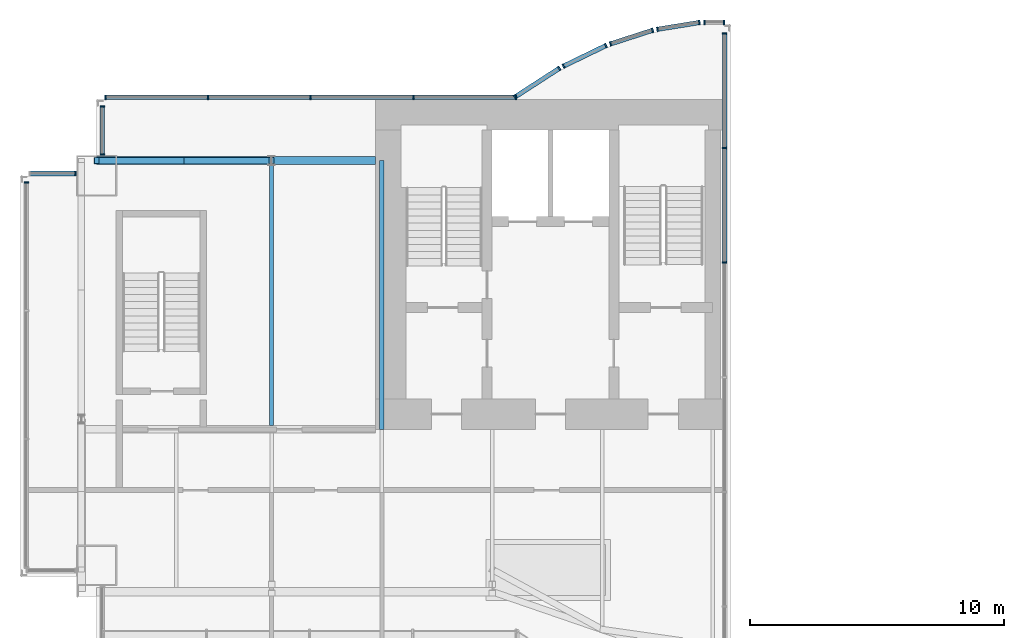
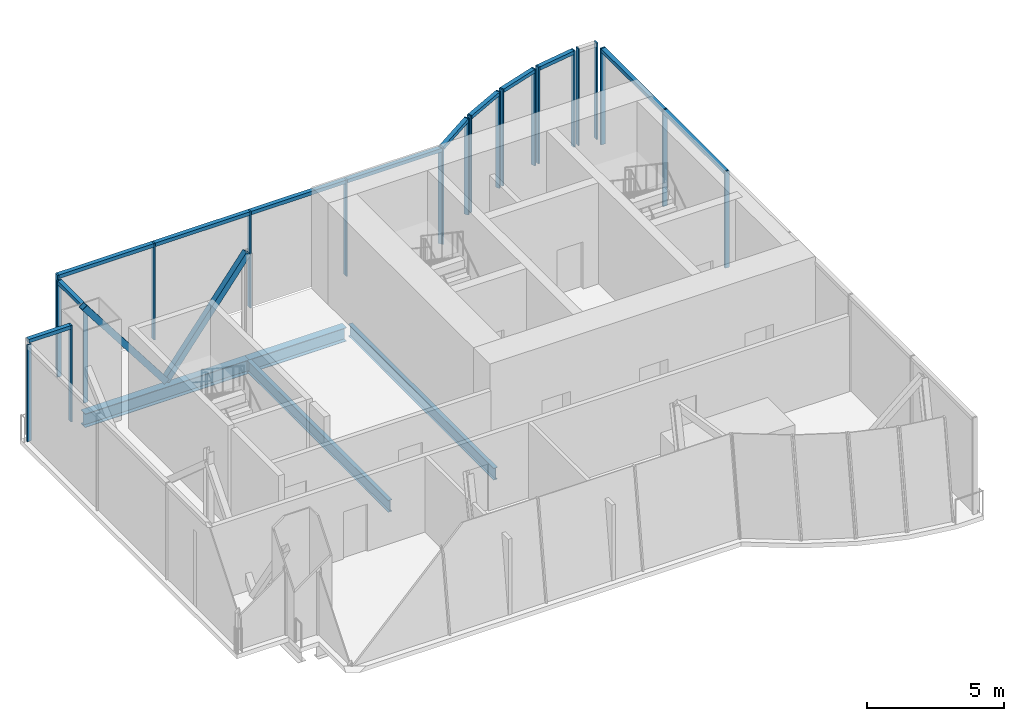
# One storey, part 2 of 7: 36 members, 4 beams, 10 elements without a shape of their own.
"""IFC4 building model written with IfcOpenShell, lengths in metres."""

from ifc_helpers import new_model, si_unit, direction, frame, origin, origin_2d, place, context, subcontext, project, spatial, rectangle, hollow_rectangle, i_section, extrude, material, material_profile, profile_set, type_object, element, aggregate, save


model = new_model("IFC4")

# Units and contexts
model_context = context("Model", 3, precision=1e-05, world=origin(), true_north=direction((0.0, 1.0)))
body_context = subcontext(model_context, "Body", "Model", "MODEL_VIEW")
ifc_project = project(units=[si_unit("LENGTHUNIT", "METRE"), si_unit("AREAUNIT", "SQUARE_METRE"), si_unit("VOLUMEUNIT", "CUBIC_METRE"), si_unit("PLANEANGLEUNIT", "RADIAN"), si_unit("MASSUNIT", "GRAM", prefix="KILO")], contexts=[model_context])

# Site, building, storey
site_placement = place(None, origin())
site = spatial("IfcSite", under=ifc_project, at=site_placement, CompositionType="ELEMENT")
building_placement = place(site_placement, origin())
building = spatial("IfcBuilding", under=site, at=building_placement, Name="Bicima Exchange Tower", CompositionType="ELEMENT")
storey_placement = place(building_placement, frame((0.0, 0.0, 361.39990234375)))
storey = spatial("IfcBuildingStorey", under=building, at=storey_placement, Name="L81", CompositionType="ELEMENT", Elevation=361.39990234375)

# Curtain wall, members
ifc_material_1 = material(Name="Anodised bronze aluminium", Category="aluminium")
curtain_wall_type = type_object("IfcCurtainWallType", Name="Crown glass wall", PredefinedType="NOTDEFINED", material=ifc_material_1)
curtain_wall_1_placement = place(storey_placement, origin())
curtain_wall_1 = element("IfcCurtainWall", 1, at=curtain_wall_1_placement, inside=storey, type_object=curtain_wall_type, Name="Crown glass wall L81 run 2", PredefinedType="NOTDEFINED")
ifc_material_profile_1 = material_profile(ifc_material_1, rectangle(XDim=0.179931640625, YDim=0.06005859375, at=origin_2d()))
ifc_profile_set_1 = profile_set([ifc_material_profile_1], Name="Anodised bronze aluminium")
member_type_1 = type_object("IfcMemberType", Name="Crown glass wall mullion 60 x 180", PredefinedType="MULLION", material=ifc_profile_set_1)
member_1_placement = place(storey_placement, frame((-8.22998046875, -6.426513671875, 0.0), z_axis=(0.0, 0.0, 1.0), x_axis=(-1.0, 0.0, 0.0)))
member_1 = element("IfcMember", 2, at=member_1_placement, type_object=member_type_1, Name="Crown glass wall mullion 5", PredefinedType="MULLION", context=body_context, shape_type="SweptSolid", body=[
    extrude(rectangle(XDim=0.179931640625, YDim=0.06005859375, at=origin_2d()), origin(), (0.0, 0.0, 1.0), 4.300048828125),
])
member_2_placement = place(storey_placement, frame((-8.22998046875, -1.90673828125, 0.0), z_axis=(0.0, 0.0, 1.0), x_axis=(-1.0, 0.0, 0.0)))
member_2 = element("IfcMember", 3, at=member_2_placement, type_object=member_type_1, Name="Crown glass wall mullion 6", PredefinedType="MULLION", context=body_context, shape_type="SweptSolid", body=[
    extrude(rectangle(XDim=0.179931640625, YDim=0.06005859375, at=origin_2d()), origin(), (0.0, 0.0, 1.0), 4.300048828125),
])
member_3_placement = place(storey_placement, frame((-8.22998046875, 2.613037109375, 0.0), z_axis=(0.0, 0.0, 1.0), x_axis=(-1.0, 0.0, 0.0)))
member_3 = element("IfcMember", 4, at=member_3_placement, type_object=member_type_1, Name="Crown glass wall mullion 7", PredefinedType="MULLION", context=body_context, shape_type="SweptSolid", body=[
    extrude(rectangle(XDim=0.179931640625, YDim=0.06005859375, at=origin_2d()), origin(), (0.0, 0.0, 1.0), 4.300048828125),
])

curtain_wall_2_placement = place(storey_placement, origin())
curtain_wall_2 = element("IfcCurtainWall", 5, at=curtain_wall_2_placement, inside=storey, type_object=curtain_wall_type, Name="Crown glass wall L81 run 3", PredefinedType="NOTDEFINED")
member_4_placement = place(storey_placement, frame((-8.260009765625, 3.052978515625, 0.0), z_axis=(0.0, 0.0, 1.0), x_axis=(0.0, -1.0, 0.0)))
member_4 = element("IfcMember", 6, at=member_4_placement, type_object=member_type_1, Name="Crown glass wall mullion 1", PredefinedType="MULLION", context=body_context, shape_type="SweptSolid", body=[
    extrude(rectangle(XDim=0.179931640625, YDim=0.06005859375, at=origin_2d()), origin(), (0.0, 0.0, 1.0), 4.300048828125),
])
member_5_placement = place(storey_placement, frame((-9.0283203125, 3.052978515625, 0.0), z_axis=(0.0, 0.0, 1.0), x_axis=(0.0, -1.0, 0.0)))
member_5 = element("IfcMember", 7, at=member_5_placement, type_object=member_type_1, Name="Crown glass wall mullion 2", PredefinedType="MULLION", context=body_context, shape_type="SweptSolid", body=[
    extrude(rectangle(XDim=0.179931640625, YDim=0.06005859375, at=origin_2d()), origin(), (0.0, 0.0, 1.0), 4.300048828125),
])
aggregate(curtain_wall_2, [member_4, member_5])

curtain_wall_3_placement = place(storey_placement, origin())
curtain_wall_3 = element("IfcCurtainWall", 8, at=curtain_wall_3_placement, inside=storey, type_object=curtain_wall_type, Name="Crown glass wall L81 run 4", PredefinedType="NOTDEFINED")
member_6_placement = place(storey_placement, frame((-9.22900390625, 3.044189453125, 0.0), z_axis=(0.0, 0.0, 1.0), x_axis=(0.159550386184, -0.987189786347, 0.0)))
member_6 = element("IfcMember", 9, at=member_6_placement, type_object=member_type_1, Name="Crown glass wall mullion 1", PredefinedType="MULLION", context=body_context, shape_type="SweptSolid", body=[
    extrude(rectangle(XDim=0.179931640625, YDim=0.06005859375, at=origin_2d()), origin(), (0.0, 0.0, 1.0), 4.300048828125),
])
member_7_placement = place(storey_placement, frame((-10.878662109375, 2.777587890625, 0.0), z_axis=(0.0, 0.0, 1.0), x_axis=(0.159550386184, -0.987189786347, 0.0)))
member_7 = element("IfcMember", 10, at=member_7_placement, type_object=member_type_1, Name="Crown glass wall mullion 2", PredefinedType="MULLION", context=body_context, shape_type="SweptSolid", body=[
    extrude(rectangle(XDim=0.179931640625, YDim=0.06005859375, at=origin_2d()), origin(), (0.0, 0.0, 1.0), 4.300048828125),
])

curtain_wall_4_placement = place(storey_placement, origin())
curtain_wall_4 = element("IfcCurtainWall", 11, at=curtain_wall_4_placement, inside=storey, type_object=curtain_wall_type, Name="Crown glass wall L81 run 5", PredefinedType="NOTDEFINED")
member_8_placement = place(storey_placement, frame((-11.072998046875, 2.73779296875, 0.0), z_axis=(0.0, 0.0, 1.0), x_axis=(0.307572519808, -0.951524642381, 0.0)))
member_8 = element("IfcMember", 12, at=member_8_placement, type_object=member_type_1, Name="Crown glass wall mullion 1", PredefinedType="MULLION", context=body_context, shape_type="SweptSolid", body=[
    extrude(rectangle(XDim=0.179931640625, YDim=0.06005859375, at=origin_2d()), origin(), (0.0, 0.0, 1.0), 4.300048828125),
])
member_9_placement = place(storey_placement, frame((-12.731689453125, 2.20166015625, 0.0), z_axis=(0.0, 0.0, 1.0), x_axis=(0.307572519808, -0.951524642381, 0.0)))
member_9 = element("IfcMember", 13, at=member_9_placement, type_object=member_type_1, Name="Crown glass wall mullion 2", PredefinedType="MULLION", context=body_context, shape_type="SweptSolid", body=[
    extrude(rectangle(XDim=0.179931640625, YDim=0.06005859375, at=origin_2d()), origin(), (0.0, 0.0, 1.0), 4.300048828125),
])

curtain_wall_5_placement = place(storey_placement, origin())
curtain_wall_5 = element("IfcCurtainWall", 14, at=curtain_wall_5_placement, inside=storey, type_object=curtain_wall_type, Name="Crown glass wall L81 run 6", PredefinedType="NOTDEFINED")
member_10_placement = place(storey_placement, frame((-12.913818359375, 2.135009765625, 0.0), z_axis=(0.0, 0.0, 1.0), x_axis=(0.436264762204, -0.899818346812, 0.0)))
member_10 = element("IfcMember", 15, at=member_10_placement, type_object=member_type_1, Name="Crown glass wall mullion 1", PredefinedType="MULLION", context=body_context, shape_type="SweptSolid", body=[
    extrude(rectangle(XDim=0.179931640625, YDim=0.06005859375, at=origin_2d()), origin(), (0.0, 0.0, 1.0), 4.300048828125),
])
member_11_placement = place(storey_placement, frame((-14.585205078125, 1.32470703125, 0.0), z_axis=(0.0, 0.0, 1.0), x_axis=(0.436264762204, -0.899818346812, 0.0)))
member_11 = element("IfcMember", 16, at=member_11_placement, type_object=member_type_1, Name="Crown glass wall mullion 2", PredefinedType="MULLION", context=body_context, shape_type="SweptSolid", body=[
    extrude(rectangle(XDim=0.179931640625, YDim=0.06005859375, at=origin_2d()), origin(), (0.0, 0.0, 1.0), 4.300048828125),
])

curtain_wall_6_placement = place(storey_placement, origin())
curtain_wall_6 = element("IfcCurtainWall", 17, at=curtain_wall_6_placement, inside=storey, type_object=curtain_wall_type, Name="Crown glass wall L81 run 7", PredefinedType="NOTDEFINED")
member_12_placement = place(storey_placement, frame((-14.752685546875, 1.23681640625, 0.0), z_axis=(0.0, 0.0, 1.0), x_axis=(0.542910648791, -0.839790466384, 0.0)))
member_12 = element("IfcMember", 18, at=member_12_placement, type_object=member_type_1, Name="Crown glass wall mullion 1", PredefinedType="MULLION", context=body_context, shape_type="SweptSolid", body=[
    extrude(rectangle(XDim=0.179931640625, YDim=0.06005859375, at=origin_2d()), origin(), (0.0, 0.0, 1.0), 4.300048828125),
])
member_13_placement = place(storey_placement, frame((-16.505126953125, 0.10400390625, 0.0), z_axis=(0.0, 0.0, 1.0), x_axis=(0.542910648791, -0.839790466384, 0.0)))
member_13 = element("IfcMember", 19, at=member_13_placement, type_object=member_type_1, Name="Crown glass wall mullion 2", PredefinedType="MULLION", context=body_context, shape_type="SweptSolid", body=[
    extrude(rectangle(XDim=0.179931640625, YDim=0.06005859375, at=origin_2d()), origin(), (0.0, 0.0, 1.0), 4.300048828125),
])

curtain_wall_7_placement = place(storey_placement, origin())
curtain_wall_7 = element("IfcCurtainWall", 20, at=curtain_wall_7_placement, inside=storey, type_object=curtain_wall_type, Name="Crown glass wall L81 run 8", PredefinedType="NOTDEFINED")
member_14_placement = place(storey_placement, frame((-16.462158203125, 0.090087890625, 0.0), z_axis=(0.0, 0.0, 1.0), x_axis=(0.0, -1.0, 0.0)))
member_14 = element("IfcMember", 21, at=member_14_placement, type_object=member_type_1, Name="Crown glass wall mullion 1", PredefinedType="MULLION", context=body_context, shape_type="SweptSolid", body=[
    extrude(rectangle(XDim=0.179931640625, YDim=0.06005859375, at=origin_2d()), origin(), (0.0, 0.0, 1.0), 4.300048828125),
])
member_15_placement = place(storey_placement, frame((-20.509033203125, 0.090087890625, 0.0), z_axis=(0.0, 0.0, 1.0), x_axis=(0.0, -1.0, 0.0)))
member_15 = element("IfcMember", 22, at=member_15_placement, type_object=member_type_1, Name="Crown glass wall mullion 2", PredefinedType="MULLION", context=body_context, shape_type="SweptSolid", body=[
    extrude(rectangle(XDim=0.179931640625, YDim=0.06005859375, at=origin_2d()), origin(), (0.0, 0.0, 1.0), 4.300048828125),
])
member_16_placement = place(storey_placement, frame((-24.55615234375, 0.090087890625, 0.0), z_axis=(0.0, 0.0, 1.0), x_axis=(0.0, -1.0, 0.0)))
member_16 = element("IfcMember", 23, at=member_16_placement, type_object=member_type_1, Name="Crown glass wall mullion 3", PredefinedType="MULLION", context=body_context, shape_type="SweptSolid", body=[
    extrude(rectangle(XDim=0.179931640625, YDim=0.06005859375, at=origin_2d()), origin(), (0.0, 0.0, 1.0), 4.300048828125),
])
member_17_placement = place(storey_placement, frame((-28.60302734375, 0.090087890625, 0.0), z_axis=(0.0, 0.0, 1.0), x_axis=(0.0, -1.0, 0.0)))
member_17 = element("IfcMember", 24, at=member_17_placement, type_object=member_type_1, Name="Crown glass wall mullion 4", PredefinedType="MULLION", context=body_context, shape_type="SweptSolid", body=[
    extrude(rectangle(XDim=0.179931640625, YDim=0.06005859375, at=origin_2d()), origin(), (0.0, 0.0, 1.0), 4.300048828125),
])
member_18_placement = place(storey_placement, frame((-32.64990234375, 0.090087890625, 0.0), z_axis=(0.0, 0.0, 1.0), x_axis=(0.0, -1.0, 0.0)))
member_18 = element("IfcMember", 25, at=member_18_placement, type_object=member_type_1, Name="Crown glass wall mullion 5", PredefinedType="MULLION", context=body_context, shape_type="SweptSolid", body=[
    extrude(rectangle(XDim=0.179931640625, YDim=0.06005859375, at=origin_2d()), origin(), (0.0, 0.0, 1.0), 4.300048828125),
])

curtain_wall_8_placement = place(storey_placement, origin())
curtain_wall_8 = element("IfcCurtainWall", 26, at=curtain_wall_8_placement, inside=storey, type_object=curtain_wall_type, Name="Crown glass wall L81 run 9", PredefinedType="NOTDEFINED")
member_19_placement = place(storey_placement, frame((-32.77001953125, -0.260009765625, 0.0), z_axis=(0.0, 0.0, 1.0), x_axis=(1.0, 0.0, 0.0)))
member_19 = element("IfcMember", 27, at=member_19_placement, type_object=member_type_1, Name="Crown glass wall mullion 1", PredefinedType="MULLION", context=body_context, shape_type="SweptSolid", body=[
    extrude(rectangle(XDim=0.179931640625, YDim=0.06005859375, at=origin_2d()), origin(), (0.0, 0.0, 1.0), 4.300048828125),
])
member_20_placement = place(storey_placement, frame((-32.77001953125, -2.169921875, 0.0), z_axis=(0.0, 0.0, 1.0), x_axis=(1.0, 0.0, 0.0)))
member_20 = element("IfcMember", 28, at=member_20_placement, type_object=member_type_1, Name="Crown glass wall mullion 2", PredefinedType="MULLION", context=body_context, shape_type="SweptSolid", body=[
    extrude(rectangle(XDim=0.179931640625, YDim=0.06005859375, at=origin_2d()), origin(), (0.0, 0.0, 1.0), 4.300048828125),
])

# Curtain wall, member
curtain_wall_9_placement = place(storey_placement, origin())
curtain_wall_9 = element("IfcCurtainWall", 29, at=curtain_wall_9_placement, inside=storey, type_object=curtain_wall_type, Name="Crown glass wall L81 run 10", PredefinedType="NOTDEFINED")
member_21_placement = place(storey_placement, frame((-33.830078125, -2.909912109375, 0.0), z_axis=(0.0, 0.0, 1.0), x_axis=(0.0, -1.0, 0.0)))
member_21 = element("IfcMember", 30, at=member_21_placement, type_object=member_type_1, Name="Crown glass wall mullion 1", PredefinedType="MULLION", context=body_context, shape_type="SweptSolid", body=[
    extrude(rectangle(XDim=0.179931640625, YDim=0.06005859375, at=origin_2d()), origin(), (0.0, 0.0, 1.0), 4.300048828125),
])

curtain_wall_10_placement = place(storey_placement, origin())
curtain_wall_10 = element("IfcCurtainWall", 31, at=curtain_wall_10_placement, inside=storey, type_object=curtain_wall_type, Name="Crown glass wall L81 run 11", PredefinedType="NOTDEFINED")
member_22_placement = place(storey_placement, frame((-35.77001953125, -3.260009765625, 0.0), z_axis=(0.0, 0.0, 1.0), x_axis=(1.0, 0.0, 0.0)))
member_22 = element("IfcMember", 32, at=member_22_placement, type_object=member_type_1, Name="Crown glass wall mullion 1", PredefinedType="MULLION", context=body_context, shape_type="SweptSolid", body=[
    extrude(rectangle(XDim=0.179931640625, YDim=0.06005859375, at=origin_2d()), origin(), (0.0, 0.0, 1.0), 4.300048828125),
])
aggregate(curtain_wall_10, [member_22])

# Member
ifc_material_profile_2 = material_profile(ifc_material_1, rectangle(XDim=0.179931640625, YDim=0.159912109375, at=origin_2d()))
ifc_profile_set_2 = profile_set([ifc_material_profile_2], Name="Anodised bronze aluminium")
member_type_2 = type_object("IfcMemberType", Name="Crown glass wall transom 160 x 180", PredefinedType="USERDEFINED", material=ifc_profile_set_2)
member_23_placement = place(storey_placement, frame((-8.22998046875, -6.396484375, 4.22021484375), z_axis=(0.0, 1.0, 0.0), x_axis=(-1.0, 0.0, 0.0)))
member_23 = element("IfcMember", 33, at=member_23_placement, type_object=member_type_2, Name="Crown glass wall transom 5.1", ObjectType="TRANSOM", PredefinedType="USERDEFINED", context=body_context, shape_type="SweptSolid", body=[
    extrude(rectangle(XDim=0.179931640625, YDim=0.159912109375, at=origin_2d()), origin(), (0.0, 0.0, 1.0), 4.459716796875),
])

member_24_placement = place(storey_placement, frame((-8.22998046875, -1.876708984375, 4.22021484375), z_axis=(0.0, 1.0, 0.0), x_axis=(-1.0, 0.0, 0.0)))
member_24 = element("IfcMember", 34, at=member_24_placement, type_object=member_type_2, Name="Crown glass wall transom 6.1", ObjectType="TRANSOM", PredefinedType="USERDEFINED", context=body_context, shape_type="SweptSolid", body=[
    extrude(rectangle(XDim=0.179931640625, YDim=0.159912109375, at=origin_2d()), origin(), (0.0, 0.0, 1.0), 4.459716796875),
])

aggregate(curtain_wall_1, [member_1, member_2, member_3, member_23, member_24])

member_25_placement = place(storey_placement, frame((-9.258544921875, 3.039306640625, 4.22021484375), z_axis=(-0.987184958941, -0.159580252036, 0.0), x_axis=(0.159580252036, -0.987184958941, 0.0)))
member_25 = element("IfcMember", 35, at=member_25_placement, type_object=member_type_2, Name="Crown glass wall transom 1.1", ObjectType="TRANSOM", PredefinedType="USERDEFINED", context=body_context, shape_type="SweptSolid", body=[
    extrude(rectangle(XDim=0.179931640625, YDim=0.159912109375, at=origin_2d()), origin(), (0.0, 0.0, 1.0), 1.611083984375),
])

aggregate(curtain_wall_3, [member_6, member_7, member_25])

member_26_placement = place(storey_placement, frame((-11.1015625, 2.728515625, 4.22021484375), z_axis=(-0.951488244605, -0.307685099376, 0.0), x_axis=(0.307685099376, -0.951488244605, 0.0)))
member_26 = element("IfcMember", 36, at=member_26_placement, type_object=member_type_2, Name="Crown glass wall transom 1.1", ObjectType="TRANSOM", PredefinedType="USERDEFINED", context=body_context, shape_type="SweptSolid", body=[
    extrude(rectangle(XDim=0.179931640625, YDim=0.159912109375, at=origin_2d()), origin(), (0.0, 0.0, 1.0), 1.682861328125),
])

aggregate(curtain_wall_4, [member_8, member_9, member_26])

member_27_placement = place(storey_placement, frame((-12.94091796875, 2.121826171875, 4.22021484375), z_axis=(-0.899873884154, -0.436150195022, 0.0), x_axis=(0.436150195022, -0.899873884154, 0.0)))
member_27 = element("IfcMember", 37, at=member_27_placement, type_object=member_type_2, Name="Crown glass wall transom 1.1", ObjectType="TRANSOM", PredefinedType="USERDEFINED", context=body_context, shape_type="SweptSolid", body=[
    extrude(rectangle(XDim=0.179931640625, YDim=0.159912109375, at=origin_2d()), origin(), (0.0, 0.0, 1.0), 1.79736328125),
])

aggregate(curtain_wall_5, [member_10, member_11, member_27])

member_28_placement = place(storey_placement, frame((-14.77783203125, 1.220703125, 4.22021484375), z_axis=(-0.839751073679, -0.54297157776, 0.0), x_axis=(0.54297157776, -0.839751073679, 0.0)))
member_28 = element("IfcMember", 38, at=member_28_placement, type_object=member_type_2, Name="Crown glass wall transom 1.1", ObjectType="TRANSOM", PredefinedType="USERDEFINED", context=body_context, shape_type="SweptSolid", body=[
    extrude(rectangle(XDim=0.179931640625, YDim=0.159912109375, at=origin_2d()), origin(), (0.0, 0.0, 1.0), 2.02685546875),
])

aggregate(curtain_wall_6, [member_12, member_13, member_28])

member_29_placement = place(storey_placement, frame((-16.4921875, 0.090087890625, 4.22021484375), z_axis=(-1.0, 0.0, 0.0), x_axis=(0.0, -1.0, 0.0)))
member_29 = element("IfcMember", 39, at=member_29_placement, type_object=member_type_2, Name="Crown glass wall transom 1.1", ObjectType="TRANSOM", PredefinedType="USERDEFINED", context=body_context, shape_type="SweptSolid", body=[
    extrude(rectangle(XDim=0.179931640625, YDim=0.159912109375, at=origin_2d()), origin(), (0.0, 0.0, 1.0), 3.98681640625),
])

member_30_placement = place(storey_placement, frame((-20.5390625, 0.090087890625, 4.22021484375), z_axis=(-1.0, 0.0, 0.0), x_axis=(0.0, -1.0, 0.0)))
member_30 = element("IfcMember", 40, at=member_30_placement, type_object=member_type_2, Name="Crown glass wall transom 2.1", ObjectType="TRANSOM", PredefinedType="USERDEFINED", context=body_context, shape_type="SweptSolid", body=[
    extrude(rectangle(XDim=0.179931640625, YDim=0.159912109375, at=origin_2d()), origin(), (0.0, 0.0, 1.0), 3.987060546875),
])

member_31_placement = place(storey_placement, frame((-24.586181640625, 0.090087890625, 4.22021484375), z_axis=(-1.0, 0.0, 0.0), x_axis=(0.0, -1.0, 0.0)))
member_31 = element("IfcMember", 41, at=member_31_placement, type_object=member_type_2, Name="Crown glass wall transom 3.1", ObjectType="TRANSOM", PredefinedType="USERDEFINED", context=body_context, shape_type="SweptSolid", body=[
    extrude(rectangle(XDim=0.179931640625, YDim=0.159912109375, at=origin_2d()), origin(), (0.0, 0.0, 1.0), 3.98681640625),
])

member_32_placement = place(storey_placement, frame((-28.633056640625, 0.090087890625, 4.22021484375), z_axis=(-1.0, 0.0, 0.0), x_axis=(0.0, -1.0, 0.0)))
member_32 = element("IfcMember", 42, at=member_32_placement, type_object=member_type_2, Name="Crown glass wall transom 4.1", ObjectType="TRANSOM", PredefinedType="USERDEFINED", context=body_context, shape_type="SweptSolid", body=[
    extrude(rectangle(XDim=0.179931640625, YDim=0.159912109375, at=origin_2d()), origin(), (0.0, 0.0, 1.0), 3.987060546875),
])

aggregate(curtain_wall_7, [member_14, member_15, member_16, member_17, member_18, member_29, member_30, member_31, member_32])

member_33_placement = place(storey_placement, frame((-32.77001953125, -0.2900390625, 4.22021484375), z_axis=(0.0, -1.0, 0.0), x_axis=(1.0, 0.0, 0.0)))
member_33 = element("IfcMember", 43, at=member_33_placement, type_object=member_type_2, Name="Crown glass wall transom 1.1", ObjectType="TRANSOM", PredefinedType="USERDEFINED", context=body_context, shape_type="SweptSolid", body=[
    extrude(rectangle(XDim=0.179931640625, YDim=0.159912109375, at=origin_2d()), origin(), (0.0, 0.0, 1.0), 1.849853515625),
])

aggregate(curtain_wall_8, [member_19, member_20, member_33])

member_34_placement = place(storey_placement, frame((-33.860107421875, -2.909912109375, 4.22021484375), z_axis=(-1.0, 0.0, 0.0), x_axis=(0.0, -1.0, 0.0)))
member_34 = element("IfcMember", 44, at=member_34_placement, type_object=member_type_2, Name="Crown glass wall transom 1.1", ObjectType="TRANSOM", PredefinedType="USERDEFINED", context=body_context, shape_type="SweptSolid", body=[
    extrude(rectangle(XDim=0.179931640625, YDim=0.159912109375, at=origin_2d()), origin(), (0.0, 0.0, 1.0), 1.760009765625),
])

aggregate(curtain_wall_9, [member_21, member_34])

# Beams
ifc_material_2 = material(Name="Steel ASTM A992 Gr 50", Category="steel")
ifc_material_profile_3 = material_profile(ifc_material_2, i_section(OverallWidth=0.165771484375, OverallDepth=0.5283203125, WebThickness=0.009765625, FlangeThickness=0.013671875, at=origin_2d()))
ifc_profile_set_3 = profile_set([ifc_material_profile_3], Name="Steel ASTM A992 Gr 50")
beam_type_1 = type_object("IfcBeamType", Name="Floor beam W21x50", PredefinedType="JOIST", material=ifc_profile_set_3)
beam_1_placement = place(storey_placement, frame((-26.10009765625, -2.5625, -0.464111328125), z_axis=(0.0, -1.0, 0.0), x_axis=(1.0, 0.0, 0.0)))
element("IfcBeam", 45, at=beam_1_placement, inside=storey, type_object=beam_type_1, Name="Floor beam", PredefinedType="JOIST", context=body_context, shape_type="SweptSolid", body=[
    extrude(i_section(OverallWidth=0.165771484375, OverallDepth=0.5283203125, WebThickness=0.009765625, FlangeThickness=0.013671875, at=origin_2d()), origin(), (0.0, 0.0, 1.0), 10.28515625),
])
beam_2_placement = place(storey_placement, frame((-21.75, -2.39990234375, -0.464111328125), z_axis=(0.0, -1.0, 0.0), x_axis=(1.0, 0.0, 0.0)))
element("IfcBeam", 46, at=beam_2_placement, inside=storey, type_object=beam_type_1, Name="Floor beam", PredefinedType="JOIST", context=body_context, shape_type="SweptSolid", body=[
    extrude(i_section(OverallWidth=0.165771484375, OverallDepth=0.5283203125, WebThickness=0.009765625, FlangeThickness=0.013671875, at=origin_2d()), origin(), (0.0, 0.0, 1.0), 10.60009765625),
])

# Members
ifc_material_3 = material(Name="Steel ASTM A572 Gr 50", Category="steel")
ifc_material_profile_4 = material_profile(ifc_material_3, hollow_rectangle(XDim=0.25390625, YDim=0.25390625, WallThickness=0.01171875, at=origin_2d()))
ifc_profile_set_4 = profile_set([ifc_material_profile_4], Name="Steel ASTM A572 Gr 50")
member_type_3 = type_object("IfcMemberType", Name="Mega brace HSS10x10x1/2", PredefinedType="BRACE", material=ifc_profile_set_4)
for number, where, z_axis, x_axis, name in (
    (47, (-29.550048828125, -2.39990234375, 0.0), (0.608426120198, 0.0, 0.793610519248), (0.0, 1.0, 0.0), "Mega brace rear"),
    (48, (-29.550048828125, -2.39990234375, 0.0), (-0.608426120198, 0.0, 0.793610519248), (0.0, -1.0, 0.0), "Mega brace rear"),
):
    element("IfcMember", number, at=place(storey_placement, frame(where, z_axis=z_axis, x_axis=x_axis)), inside=storey, type_object=member_type_3, Name=name, PredefinedType="BRACE", context=body_context, shape_type="SweptSolid", body=[
        extrude(hollow_rectangle(XDim=0.25390625, YDim=0.25390625, WallThickness=0.01171875, at=origin_2d()), origin(), (0.0, 0.0, 1.0), 5.670166015625),
    ])

# Beams
ifc_material_profile_5 = material_profile(ifc_material_2, i_section(OverallWidth=0.3251953125, OverallDepth=0.612060546875, WebThickness=0.0126953125, FlangeThickness=0.01904296875, at=origin_2d()))
ifc_profile_set_5 = profile_set([ifc_material_profile_5], Name="Steel ASTM A992 Gr 50")
beam_type_2 = type_object("IfcBeamType", Name="Rear girder W24x104", PredefinedType="BEAM", material=ifc_profile_set_5)
beam_3_placement = place(storey_placement, frame((-22.0, -2.39990234375, -0.506103515625), z_axis=(-1.0, 0.0, 0.0), x_axis=(0.0, -1.0, 0.0)))
element("IfcBeam", 49, at=beam_3_placement, inside=storey, type_object=beam_type_2, Name="Rear girder", PredefinedType="BEAM", context=body_context, shape_type="SweptSolid", body=[
    extrude(i_section(OverallWidth=0.3251953125, OverallDepth=0.612060546875, WebThickness=0.0126953125, FlangeThickness=0.01904296875, at=origin_2d()), origin(), (0.0, 0.0, 1.0), 4.10009765625),
])
beam_4_placement = place(storey_placement, frame((-26.10009765625, -2.39990234375, -0.506103515625), z_axis=(-1.0, 0.0, 0.0), x_axis=(0.0, -1.0, 0.0)))
element("IfcBeam", 50, at=beam_4_placement, inside=storey, type_object=beam_type_2, Name="Rear girder", PredefinedType="BEAM", context=body_context, shape_type="SweptSolid", body=[
    extrude(i_section(OverallWidth=0.3251953125, OverallDepth=0.612060546875, WebThickness=0.0126953125, FlangeThickness=0.01904296875, at=origin_2d()), origin(), (0.0, 0.0, 1.0), 6.89990234375),
])

save(model, "model.ifc")
